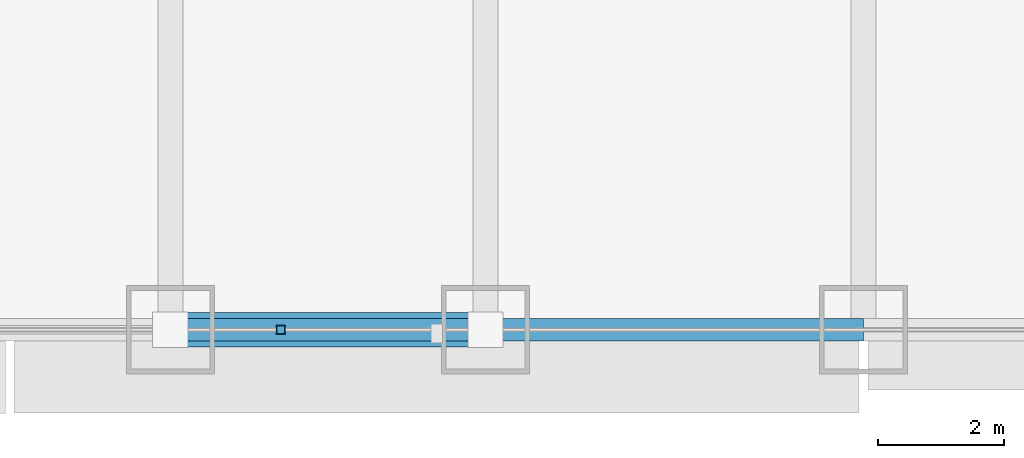
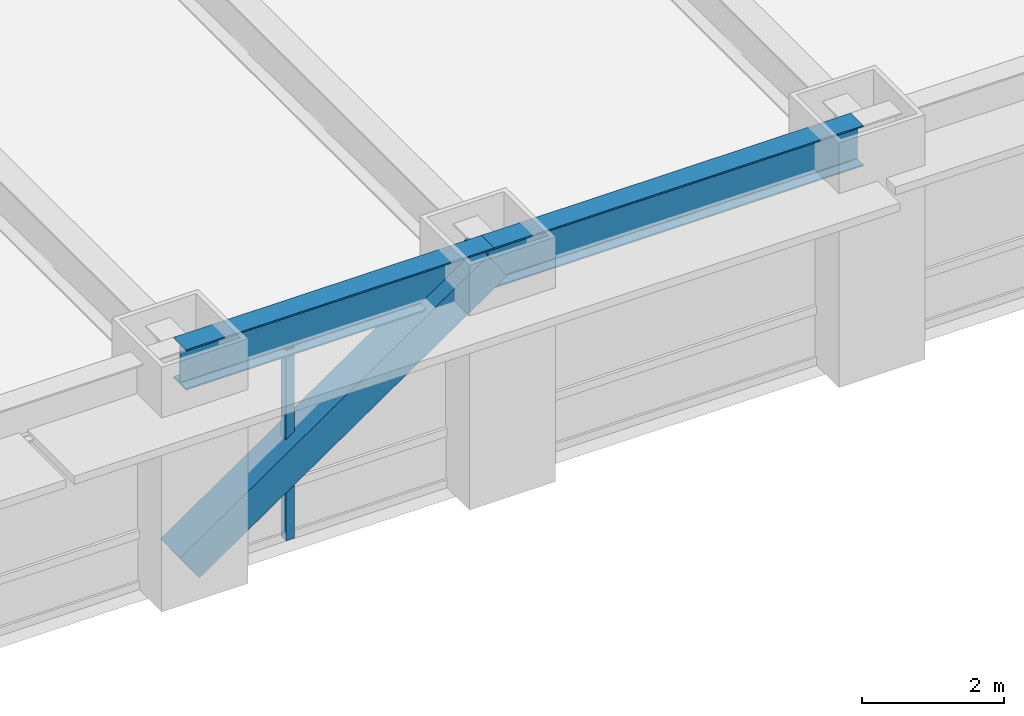
# One storey, part 4 of 31: 2 beams, 2 members, 1 element without a shape of its own.
"""IFC4 building model written with IfcOpenShell, lengths in metres."""

from ifc_helpers import new_model, si_unit, direction, frame, origin, origin_2d, place, context, subcontext, project, spatial, hollow_rectangle, i_section, extrude, source, transform, mapped, material, material_profile, profile_set, type_object, element, aggregate, save


model = new_model("IFC4")

# Units and contexts
model_context = context("Model", 3, precision=1e-05, world=origin(), true_north=direction((0.0, 1.0)))
body_context = subcontext(model_context, "Body", "Model", "MODEL_VIEW")
ifc_project = project(units=[si_unit("LENGTHUNIT", "METRE"), si_unit("AREAUNIT", "SQUARE_METRE"), si_unit("VOLUMEUNIT", "CUBIC_METRE"), si_unit("PLANEANGLEUNIT", "RADIAN"), si_unit("MASSUNIT", "GRAM", prefix="KILO")], contexts=[model_context])

# Site, building, storey
site_placement = place(None, origin())
site = spatial("IfcSite", under=ifc_project, at=site_placement, CompositionType="ELEMENT")
building_placement = place(site_placement, origin())
building = spatial("IfcBuilding", under=site, at=building_placement, Name="Khorayat Bourse Tower", CompositionType="ELEMENT")
storey_placement = place(building_placement, frame((0.0, 0.0, 36.800048828125)))
storey = spatial("IfcBuildingStorey", under=building, at=storey_placement, Name="L07", CompositionType="ELEMENT", Elevation=36.800048828125)

# Beams
ifc_material_1 = material(Name="Steel ASTM A992 Grade 50", Category="steel")
ifc_material_profile_1 = material_profile(ifc_material_1, i_section(OverallWidth=0.35498046875, OverallDepth=0.695068359375, WebThickness=0.015380859375, FlangeThickness=0.02490234375, FilletRadius=0.01806640625, at=origin_2d()), Name="W690X217")
ifc_profile_set_1 = profile_set([ifc_material_profile_1], Name="Steel ASTM A992 Grade 50")
beam_type = type_object("IfcBeamType", Name="BM-SPAN-690", PredefinedType="SPANDREL", material=ifc_profile_set_1)
shared_shape_1 = source(origin(), body_context, "Body", "SweptSolid", [
    extrude(i_section(OverallWidth=0.35498046875, OverallDepth=0.695068359375, WebThickness=0.015380859375, FlangeThickness=0.02490234375, FilletRadius=0.01806640625, at=origin_2d()), origin(), (0.0, 0.0, 1.0), 5.0),
])
beam_1_placement = place(storey_placement, frame((-11.0, -32.0, 3.592529296875), z_axis=(1.0, 0.0, 0.0), x_axis=(0.0, 1.0, 0.0)))
element("IfcBeam", 1, at=beam_1_placement, inside=storey, type_object=beam_type, Name="L07 BM-SPAN-690 BM-L07-SPN-026", PredefinedType="SPANDREL", context=body_context, shape_type="MappedRepresentation", body=[
    mapped(shared_shape_1, transform((0.0, 0.0, 0.0), scale=1.0)),
])
shared_shape_2 = source(origin(), body_context, "Body", "SweptSolid", [
    extrude(i_section(OverallWidth=0.35498046875, OverallDepth=0.695068359375, WebThickness=0.015380859375, FlangeThickness=0.02490234375, FilletRadius=0.01806640625, at=origin_2d()), origin(), (0.0, 0.0, 1.0), 6.0),
])
beam_2_placement = place(storey_placement, frame((-6.0, -32.0, 3.592529296875), z_axis=(1.0, 0.0, 0.0), x_axis=(0.0, 1.0, 0.0)))
element("IfcBeam", 2, at=beam_2_placement, inside=storey, type_object=beam_type, Name="L07 BM-SPAN-690 BM-L07-SPN-027", PredefinedType="SPANDREL", context=body_context, shape_type="MappedRepresentation", body=[
    mapped(shared_shape_2, transform((0.0, 0.0, 0.0), scale=1.0)),
])

# Member
ifc_material_2 = material(Name="Steel EN 10025-4 S460M", Category="steel")
ifc_material_profile_2 = material_profile(ifc_material_2, hollow_rectangle(XDim=0.550048828125, YDim=0.550048828125, WallThickness=0.031982421875, at=origin_2d()), Name="HSS 550x550x32")
ifc_profile_set_2 = profile_set([ifc_material_profile_2], Name="Steel EN 10025-4 S460M")
member_type_1 = type_object("IfcMemberType", Name="MBR-TUBE-550", PredefinedType="BRACE", material=ifc_profile_set_2)
shared_shape_3 = source(origin(), body_context, "Body", "SweptSolid", [
    extrude(hollow_rectangle(XDim=0.550048828125, YDim=0.550048828125, WallThickness=0.031982421875, at=origin_2d()), origin(), (0.0, 0.0, 1.0), 6.069091796875),
])
member_1_placement = place(storey_placement, frame((-11.0, -32.0, 0.25), z_axis=(0.823854080622, 0.0, 0.566801952928), x_axis=(0.0, 1.0, 0.0)))
element("IfcMember", 3, at=member_1_placement, inside=storey, type_object=member_type_1, Name="L07 Perimeter Tube Brace 01", PredefinedType="BRACE", context=body_context, shape_type="MappedRepresentation", body=[
    mapped(shared_shape_3, transform((0.0, 0.0, 0.0), scale=1.0)),
])

# Curtain wall, member
ifc_material_3 = material(Name="Aluminium EN AW-6063 T6", Category="aluminium")
curtain_wall_type = type_object("IfcCurtainWallType", Name="CW-SYS-02", PredefinedType="NOTDEFINED", material=ifc_material_3)
curtain_wall_placement = place(storey_placement, origin())
curtain_wall = element("IfcCurtainWall", 4, at=curtain_wall_placement, inside=storey, type_object=curtain_wall_type, Name="L07 Curtain Wall CW-L07-S1", PredefinedType="NOTDEFINED")
ifc_material_profile_3 = material_profile(ifc_material_3, hollow_rectangle(XDim=0.139892578125, YDim=0.139892578125, WallThickness=0.006103515625, at=origin_2d()), Name="ALU 140x140x6")
ifc_profile_set_3 = profile_set([ifc_material_profile_3], Name="Aluminium EN AW-6063 T6")
member_type_2 = type_object("IfcMemberType", Name="CWM-VERT-140", PredefinedType="MULLION", material=ifc_profile_set_3)
shared_shape_4 = source(origin(), body_context, "Body", "SweptSolid", [
    extrude(hollow_rectangle(XDim=0.139892578125, YDim=0.139892578125, WallThickness=0.006103515625, at=origin_2d()), origin(), (0.0, 0.0, 1.0), 3.2900390625),
])
member_2_placement = place(storey_placement, frame((-9.25, -32.0, 0.0), z_axis=(0.0, 0.0, 1.0), x_axis=(0.0, 1.0, 0.0)))
member_2 = element("IfcMember", 5, at=member_2_placement, type_object=member_type_2, Name="CW-L07-S1 Vertical Mullion 2", PredefinedType="MULLION", context=body_context, shape_type="MappedRepresentation", body=[
    mapped(shared_shape_4, transform((0.0, 0.0, 0.0), scale=1.0)),
])
aggregate(curtain_wall, [member_2])

save(model, "model.ifc")
